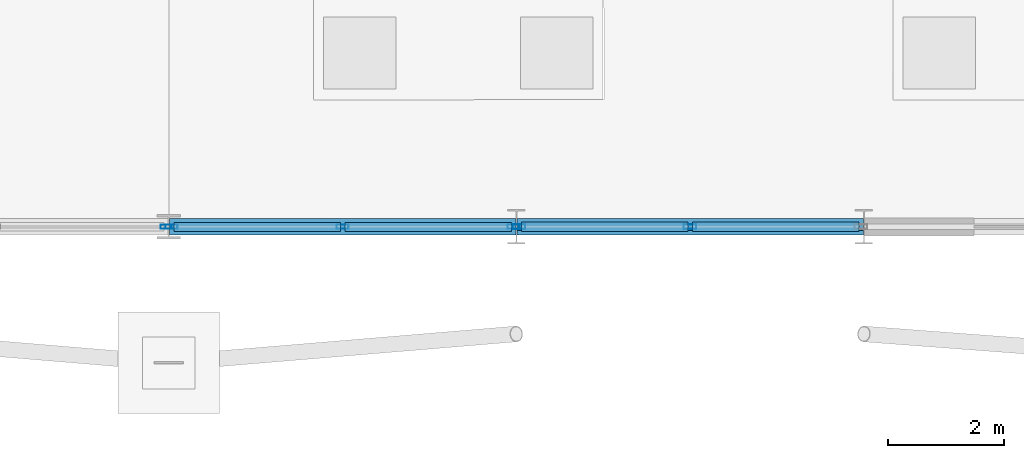
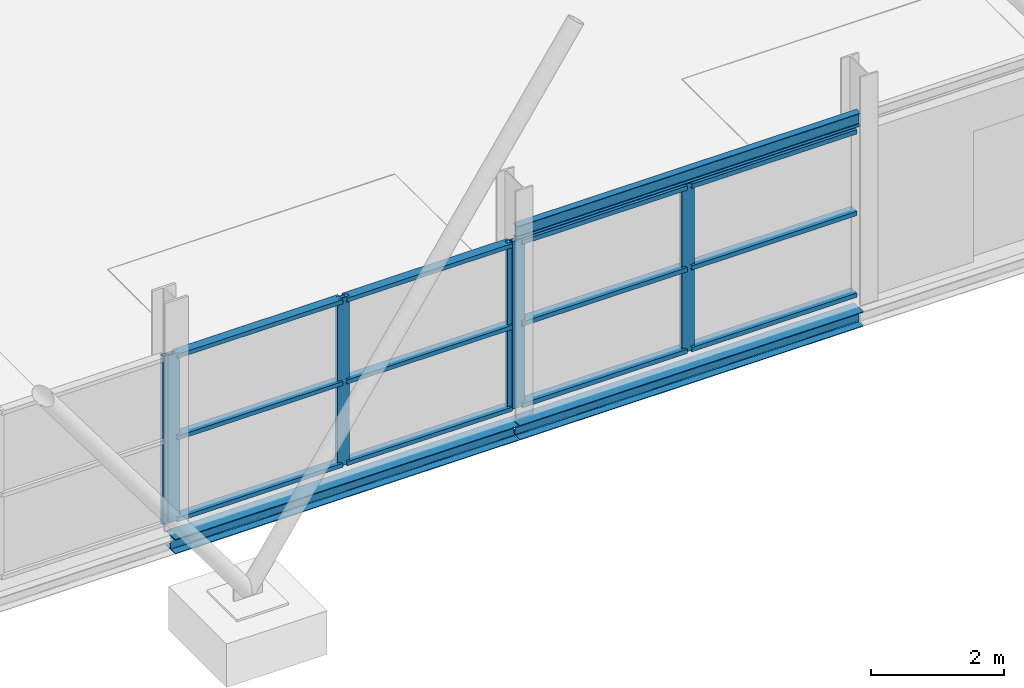
# One storey, part 31 of 140: 18 members, 3 beams, 3 elements without a shape of their own.
"""IFC4 building model written with IfcOpenShell, lengths in metres."""

import ifcopenshell
import ifcopenshell.guid

model = None  # the IFC model being written
_history = None  # IfcOwnerHistory: only IFC2X3 demands one
_inside = {}  # id of a spatial element -> (the spatial element, [elements in it])
_under = {}  # id of a project, library or spatial element -> (it, [spatial elements below it])
_declared = {}  # id of a project -> (the project, [libraries it declares])
_typed = {}  # id of a type object -> (the type object, [elements of that type])
_made_of = {}  # id of a material, layer set ... -> (it, [elements and type objects made of it])


def new_model(schema):
    """Start an empty IFC model of exactly this schema.

    Asked for "IFC4X3", IfcOpenShell would pick the latest addendum, in which some entities
    have other attributes; the version numbers below select the first issue.
    IFC2X3 requires an IfcOwnerHistory on every rooted entity: one is made here for all.
    """
    global model, _history
    if schema == "IFC4X3":
        model = ifcopenshell.file(schema_version=(4, 3, 0, 0))
    else:
        model = ifcopenshell.file(schema=schema)
    _inside.clear()
    _under.clear()
    _declared.clear()
    _typed.clear()
    _made_of.clear()
    _history = None
    if model.schema == "IFC2X3":
        org = make("IfcOrganization", Name="unknown")
        user = make(
            "IfcPersonAndOrganization",
            ThePerson=make("IfcPerson", FamilyName="unknown"),
            TheOrganization=org,
        )
        app = make(
            "IfcApplication",
            ApplicationDeveloper=org,
            Version="unknown",
            ApplicationFullName="unknown",
            ApplicationIdentifier="unknown",
        )
        _history = make(
            "IfcOwnerHistory",
            OwningUser=user,
            OwningApplication=app,
            ChangeAction="ADDED",
            CreationDate=0,
        )
    return model


def make(cls, **values):
    """One entity of the class cls with the attributes given. An attribute that is None is left unset."""
    return model.create_entity(
        cls, **{name: value for name, value in values.items() if value is not None}
    )


def rooted(cls, **values):
    """An entity with a GlobalId (a new one), such as an element, a storey or a relation."""
    return make(cls, GlobalId=ifcopenshell.guid.new(), OwnerHistory=_history, **values)


def si_unit(unit_type, name, prefix=None):
    """IfcSIUnit, for example si_unit("LENGTHUNIT", "METRE", prefix="MILLI")."""
    return make("IfcSIUnit", UnitType=unit_type, Prefix=prefix, Name=name)


def assignment(units):
    """IfcUnitAssignment: the units of a project."""
    return None if units is None else make("IfcUnitAssignment", Units=units)


def point(xyz):
    """IfcCartesianPoint."""
    return None if xyz is None else make("IfcCartesianPoint", Coordinates=xyz)


def direction(xyz):
    """IfcDirection."""
    return None if xyz is None else make("IfcDirection", DirectionRatios=xyz)


def frame(location, z_axis=None, x_axis=None):
    """IfcAxis2Placement3D, a coordinate frame: its origin and axes. An axis left out is left unset."""
    return make(
        "IfcAxis2Placement3D",
        Location=point(location),
        Axis=direction(z_axis),
        RefDirection=direction(x_axis),
    )


def frame_2d(location, x_axis=None):
    """IfcAxis2Placement2D, a coordinate frame in the plane: its origin and x axis."""
    return make(
        "IfcAxis2Placement2D", Location=point(location), RefDirection=direction(x_axis)
    )


def origin():
    """The frame at (0, 0, 0) with its axes left unset."""
    return frame((0.0, 0.0, 0.0))


def origin_2d():
    """The frame at (0, 0) in the plane with its x axis left unset."""
    return frame_2d((0.0, 0.0))


def place(relative_to, where):
    """IfcLocalPlacement: puts the frame where relative to a parent placement (None: the world)."""
    return make(
        "IfcLocalPlacement", PlacementRelTo=relative_to, RelativePlacement=where
    )


def context(
    kind, dimensions, precision=None, world=None, true_north=None, identifier=None
):
    """IfcGeometricRepresentationContext, for example the 3D "Model" context."""
    return make(
        "IfcGeometricRepresentationContext",
        ContextIdentifier=identifier,
        ContextType=kind,
        CoordinateSpaceDimension=dimensions,
        Precision=precision,
        WorldCoordinateSystem=world,
        TrueNorth=true_north,
    )


def subcontext(parent, identifier, kind, view, scale=None):
    """IfcGeometricRepresentationSubContext, for example "Body" below "Model"."""
    return make(
        "IfcGeometricRepresentationSubContext",
        ContextIdentifier=identifier,
        ContextType=kind,
        ParentContext=parent,
        TargetScale=scale,
        TargetView=view,
    )


def project(units=None, contexts=None):
    """IfcProject with its units and contexts."""
    return rooted(
        "IfcProject",
        Name="project",
        RepresentationContexts=contexts,
        UnitsInContext=assignment(units),
    )


def spatial(cls, under=None, at=None, **own):
    """A site, building, storey or space (cls), placed at a placement, below another one or the project."""
    s = rooted(cls, ObjectPlacement=at, **own)
    if under is not None:
        _under.setdefault(under.id(), (under, []))[1].append(s)
    return s


def profile(cls, at=None, kind="AREA", **sizes):
    """A parametric profile (cls). Its sizes go by their IFC names, for example OverallWidth=200.0."""
    return make(cls, ProfileType=kind, Position=at, **sizes)


def hollow_rectangle(**sizes):
    """IfcRectangleHollowProfileDef."""
    return profile("IfcRectangleHollowProfileDef", **sizes)


def i_section(**sizes):
    """IfcIShapeProfileDef."""
    return profile("IfcIShapeProfileDef", **sizes)


def extrude(swept, where, along, depth):
    """IfcExtrudedAreaSolid: the profile swept, set in the frame where, extruded along a direction by depth."""
    return make(
        "IfcExtrudedAreaSolid",
        SweptArea=swept,
        Position=where,
        ExtrudedDirection=direction(along),
        Depth=depth,
    )


def shape(context_of_items, identifier, shape_type, items):
    """IfcShapeRepresentation: the items that make up one representation, for example the "Body"."""
    return make(
        "IfcShapeRepresentation",
        ContextOfItems=context_of_items,
        RepresentationIdentifier=identifier,
        RepresentationType=shape_type,
        Items=items,
    )


def material(Name=None, Category=None):
    """IfcMaterial."""
    return make("IfcMaterial", Name=Name, Category=Category)


def layer(
    of_material, thickness, ventilated=None, Name=None, Category=None, Priority=None
):
    """IfcMaterialLayer: one layer of a wall or slab, of a material (None: an air gap)."""
    return make(
        "IfcMaterialLayer",
        Material=of_material,
        LayerThickness=thickness,
        IsVentilated=ventilated,
        Name=Name,
        Category=Category,
        Priority=Priority,
    )


def layer_set(layers, Name=None):
    """IfcMaterialLayerSet."""
    return make("IfcMaterialLayerSet", MaterialLayers=layers, LayerSetName=Name)


def material_profile(
    of_material, cross_section, Name=None, Category=None, Priority=None
):
    """IfcMaterialProfile: a cross section and its material."""
    return make(
        "IfcMaterialProfile",
        Name=Name,
        Material=of_material,
        Profile=cross_section,
        Priority=Priority,
        Category=Category,
    )


def profile_set(profiles, Name=None, composite=None):
    """IfcMaterialProfileSet."""
    return make(
        "IfcMaterialProfileSet",
        Name=Name,
        MaterialProfiles=profiles,
        CompositeProfile=composite,
    )


def made_of(thing, what):
    """Note that an element or type object is made of a material, layer set ...; save() writes the relation."""
    if what is not None:
        _made_of.setdefault(what.id(), (what, []))[1].append(thing)
    return thing


def type_object(cls, material=None, **own):
    """A type object (cls), such as IfcWallType, which elements share."""
    return made_of(rooted(cls, **own), material)


def element(
    cls,
    number,
    at=None,
    inside=None,
    cuts=None,
    type_object=None,
    material=None,
    context=None,
    identifier="Body",
    shape_type=None,
    held_by="IfcProductDefinitionShape",
    body=None,
    shapes=None,
    **own,
):
    """One element of the class cls, such as IfcWall. Its Tag is "e" and its number.

    at: its placement. inside: the storey or other place that contains it. cuts: it is an
    opening in that element (IfcRelVoidsElement). A single representation is given by context,
    identifier, shape_type and body (its items); several are given by shapes. held_by: the class
    of the entity that holds the representations. save() writes the other relations.
    """
    e = rooted(cls, Tag="e%d" % number, ObjectPlacement=at, **own)
    if body is not None:
        shapes = [shape(context, identifier, shape_type, body)]
    if shapes is not None:
        e.Representation = make(held_by, Representations=shapes)
    if inside is not None:
        _inside.setdefault(inside.id(), (inside, []))[1].append(e)
    if cuts is not None:
        rooted(
            "IfcRelVoidsElement", RelatingBuildingElement=cuts, RelatedOpeningElement=e
        )
    if type_object is not None:
        _typed.setdefault(type_object.id(), (type_object, []))[1].append(e)
    return made_of(e, material)


def aggregate(whole, parts):
    """IfcRelAggregates: a whole, such as a stair, and the parts it consists of."""
    return rooted("IfcRelAggregates", RelatingObject=whole, RelatedObjects=parts)


def save(model, path):
    """Write the relations noted so far, then the file.

    IfcRelAggregates (storeys below a building ...), IfcRelContainedInSpatialStructure (elements
    in a storey), IfcRelDefinesByType, IfcRelAssociatesMaterial and IfcRelDeclares: one each for
    every whole, place, type object, material and project.
    """
    for whole, parts in _under.values():
        aggregate(whole, parts)
    for where, things in _inside.values():
        rooted(
            "IfcRelContainedInSpatialStructure",
            RelatedElements=things,
            RelatingStructure=where,
        )
    for kind, things in _typed.values():
        rooted("IfcRelDefinesByType", RelatedObjects=things, RelatingType=kind)
    for what, things in _made_of.values():
        rooted("IfcRelAssociatesMaterial", RelatedObjects=things, RelatingMaterial=what)
    for by, libraries in _declared.values():
        rooted("IfcRelDeclares", RelatingContext=by, RelatedDefinitions=libraries)
    model.write(path)


model = new_model("IFC4")

# Units and contexts
model_context = context("Model", 3, precision=1e-05, world=origin(), true_north=direction((0.0, 1.0)))
body_context = subcontext(model_context, "Body", "Model", "MODEL_VIEW")
ifc_project = project(units=[si_unit("LENGTHUNIT", "METRE"), si_unit("AREAUNIT", "SQUARE_METRE"), si_unit("VOLUMEUNIT", "CUBIC_METRE"), si_unit("PLANEANGLEUNIT", "RADIAN"), si_unit("MASSUNIT", "GRAM", prefix="KILO")], contexts=[model_context])

# Site, building, storey
site_placement = place(None, origin())
site = spatial("IfcSite", under=ifc_project, at=site_placement, CompositionType="ELEMENT")
building_placement = place(site_placement, origin())
building = spatial("IfcBuilding", under=site, at=building_placement, Name="Deido Ridge Mobility Hub", CompositionType="ELEMENT")
storey_placement = place(building_placement, origin())
storey = spatial("IfcBuildingStorey", under=building, at=storey_placement, Name="L00", CompositionType="ELEMENT", Elevation=0.0)

# Beam
ifc_material_1 = material(Name="Steel S355J2 EN 10025-2", Category="steel")
ifc_material_profile_1 = material_profile(ifc_material_1, i_section(OverallWidth=0.1201171875, OverallDepth=0.239990234375, WebThickness=0.006103515625, FlangeThickness=0.009765625, FilletRadius=0.014892578125, at=origin_2d()), Name="IPE 240")
ifc_profile_set_1 = profile_set([ifc_material_profile_1], Name="Steel S355J2 EN 10025-2")
beam_type_1 = type_object("IfcBeamType", Name="LNT-IPE240", PredefinedType="LINTEL", material=ifc_profile_set_1)
beam_1_placement = place(storey_placement, frame((36.0078125, 0.0, 3.22998046875), z_axis=(1.0, 0.0, 0.0), x_axis=(0.0, 1.0, 0.0)))
element("IfcBeam", 1, at=beam_1_placement, inside=storey, type_object=beam_type_1, Name="Opening lintel LN1", PredefinedType="LINTEL", context=body_context, shape_type="SweptSolid", body=[
    extrude(i_section(OverallWidth=0.1201171875, OverallDepth=0.239990234375, WebThickness=0.006103515625, FlangeThickness=0.009765625, FilletRadius=0.014892578125, at=origin_2d()), origin(), (0.0, 0.0, 1.0), 5.984375),
])

# Curtain wall, member
ifc_material_2 = material(Name="Anodised aluminium EN AW-6063 T6", Category="aluminium")
ifc_layer_1 = layer(ifc_material_2, 0.22509765625, Name="Anodised aluminium EN AW-6063 T6")
ifc_layer_set_1 = layer_set([ifc_layer_1], Name="Anodised aluminium EN AW-6063 T6")
curtain_wall_type_1 = type_object("IfcCurtainWallType", Name="CW-UF-5", PredefinedType="USERDEFINED", material=ifc_layer_set_1)
curtain_wall_1_placement = place(storey_placement, origin())
curtain_wall_1 = element("IfcCurtainWall", 2, at=curtain_wall_1_placement, inside=storey, type_object=curtain_wall_type_1, Name="Unitised curtain wall CW5", ObjectType="UNITISED FACADE", PredefinedType="USERDEFINED")
ifc_material_profile_2 = material_profile(ifc_material_2, hollow_rectangle(XDim=0.070068359375, YDim=0.18994140625, WallThickness=0.00390625, at=origin_2d()), Name="RHS 70x190x4")
ifc_profile_set_2 = profile_set([ifc_material_profile_2], Name="Anodised aluminium EN AW-6063 T6")
member_type_1 = type_object("IfcMemberType", Name="MEM-MUL-70X190", PredefinedType="MULLION", material=ifc_profile_set_2)
member_1_placement = place(storey_placement, frame((29.952880859375, 0.0, 0.0), z_axis=(0.0, 0.0, 1.0), x_axis=(0.0, 1.0, 0.0)))
member_1 = element("IfcMember", 3, at=member_1_placement, type_object=member_type_1, Name="CW5 mullion 3", PredefinedType="MULLION", context=body_context, shape_type="SweptSolid", body=[
    extrude(hollow_rectangle(XDim=0.070068359375, YDim=0.18994140625, WallThickness=0.00390625, at=origin_2d()), origin(), (0.0, 0.0, 1.0), 3.10009765625),
])
aggregate(curtain_wall_1, [member_1])

# Curtain wall, members
ifc_layer_2 = layer(ifc_material_2, 0.239990234375, Name="Anodised aluminium EN AW-6063 T6")
ifc_layer_set_2 = layer_set([ifc_layer_2], Name="Anodised aluminium EN AW-6063 T6")
curtain_wall_type_2 = type_object("IfcCurtainWallType", Name="CW-UF-6", PredefinedType="USERDEFINED", material=ifc_layer_set_2)
curtain_wall_2_placement = place(storey_placement, origin())
curtain_wall_2 = element("IfcCurtainWall", 4, at=curtain_wall_2_placement, inside=storey, type_object=curtain_wall_type_2, Name="Unitised curtain wall CW6", ObjectType="UNITISED FACADE", PredefinedType="USERDEFINED")
ifc_material_profile_3 = material_profile(ifc_material_2, hollow_rectangle(XDim=0.074951171875, YDim=0.205078125, WallThickness=0.00390625, at=origin_2d()), Name="RHS 75x205x4")
ifc_profile_set_3 = profile_set([ifc_material_profile_3], Name="Anodised aluminium EN AW-6063 T6")
member_type_2 = type_object("IfcMemberType", Name="MEM-MUL-75X205", PredefinedType="MULLION", material=ifc_profile_set_3)
member_2_placement = place(storey_placement, frame((30.049560546875, 0.0, 0.0), z_axis=(0.0, 0.0, 1.0), x_axis=(0.0, 1.0, 0.0)))
member_2 = element("IfcMember", 5, at=member_2_placement, type_object=member_type_2, Name="CW6 mullion 1", PredefinedType="MULLION", context=body_context, shape_type="SweptSolid", body=[
    extrude(hollow_rectangle(XDim=0.074951171875, YDim=0.205078125, WallThickness=0.00390625, at=origin_2d()), origin(), (0.0, 0.0, 1.0), 3.0849609375),
])
member_3_placement = place(storey_placement, frame((33.002197265625, 0.0, 0.0), z_axis=(0.0, 0.0, 1.0), x_axis=(0.0, 1.0, 0.0)))
member_3 = element("IfcMember", 6, at=member_3_placement, type_object=member_type_2, Name="CW6 mullion 2", PredefinedType="MULLION", context=body_context, shape_type="SweptSolid", body=[
    extrude(hollow_rectangle(XDim=0.074951171875, YDim=0.205078125, WallThickness=0.00390625, at=origin_2d()), origin(), (0.0, 0.0, 1.0), 3.0849609375),
])
member_4_placement = place(storey_placement, frame((35.95458984375, 0.0, 0.0), z_axis=(0.0, 0.0, 1.0), x_axis=(0.0, 1.0, 0.0)))
member_4 = element("IfcMember", 7, at=member_4_placement, type_object=member_type_2, Name="CW6 mullion 3", PredefinedType="MULLION", context=body_context, shape_type="SweptSolid", body=[
    extrude(hollow_rectangle(XDim=0.074951171875, YDim=0.205078125, WallThickness=0.00390625, at=origin_2d()), origin(), (0.0, 0.0, 1.0), 3.0849609375),
])

ifc_layer_3 = layer(ifc_material_2, 0.2548828125, Name="Anodised aluminium EN AW-6063 T6")
ifc_layer_set_3 = layer_set([ifc_layer_3], Name="Anodised aluminium EN AW-6063 T6")
curtain_wall_type_3 = type_object("IfcCurtainWallType", Name="CW-UF-7", PredefinedType="USERDEFINED", material=ifc_layer_set_3)
curtain_wall_3_placement = place(storey_placement, origin())
curtain_wall_3 = element("IfcCurtainWall", 8, at=curtain_wall_3_placement, inside=storey, type_object=curtain_wall_type_3, Name="Unitised curtain wall CW7", ObjectType="UNITISED FACADE", PredefinedType="USERDEFINED")
ifc_material_profile_4 = material_profile(ifc_material_2, hollow_rectangle(XDim=0.080078125, YDim=0.219970703125, WallThickness=0.00390625, at=origin_2d()), Name="RHS 80x220x4")
ifc_profile_set_4 = profile_set([ifc_material_profile_4], Name="Anodised aluminium EN AW-6063 T6")
member_type_3 = type_object("IfcMemberType", Name="MEM-MUL-80X220", PredefinedType="MULLION", material=ifc_profile_set_4)
member_5_placement = place(storey_placement, frame((36.0478515625, 0.0, 0.0), z_axis=(0.0, 0.0, 1.0), x_axis=(0.0, 1.0, 0.0)))
member_5 = element("IfcMember", 9, at=member_5_placement, type_object=member_type_3, Name="CW7 mullion 1", PredefinedType="MULLION", context=body_context, shape_type="SweptSolid", body=[
    extrude(hollow_rectangle(XDim=0.080078125, YDim=0.219970703125, WallThickness=0.00390625, at=origin_2d()), origin(), (0.0, 0.0, 1.0), 3.0849609375),
])
member_6_placement = place(storey_placement, frame((39.0, 0.0, 0.0), z_axis=(0.0, 0.0, 1.0), x_axis=(0.0, 1.0, 0.0)))
member_6 = element("IfcMember", 10, at=member_6_placement, type_object=member_type_3, Name="CW7 mullion 2", PredefinedType="MULLION", context=body_context, shape_type="SweptSolid", body=[
    extrude(hollow_rectangle(XDim=0.080078125, YDim=0.219970703125, WallThickness=0.00390625, at=origin_2d()), origin(), (0.0, 0.0, 1.0), 3.0849609375),
])

# Member
ifc_material_profile_5 = material_profile(ifc_material_2, hollow_rectangle(XDim=0.155029296875, YDim=0.074951171875, WallThickness=0.00390625, at=origin_2d()), Name="RHS 155x75x4")
ifc_profile_set_5 = profile_set([ifc_material_profile_5], Name="Anodised aluminium EN AW-6063 T6")
member_type_4 = type_object("IfcMemberType", Name="MEM-TRN-155X75", PredefinedType="USERDEFINED", material=ifc_profile_set_5)
member_7_placement = place(storey_placement, frame((30.0869140625, 0.0, 0.03759765625), z_axis=(1.0, 0.0, 0.0), x_axis=(0.0, 1.0, 0.0)))
member_7 = element("IfcMember", 11, at=member_7_placement, type_object=member_type_4, Name="CW6 transom 1.1", ObjectType="TRANSOM", PredefinedType="USERDEFINED", context=body_context, shape_type="SweptSolid", body=[
    extrude(hollow_rectangle(XDim=0.155029296875, YDim=0.074951171875, WallThickness=0.00390625, at=origin_2d()), origin(), (0.0, 0.0, 1.0), 2.877685546875),
])

member_8_placement = place(storey_placement, frame((30.0869140625, 0.0, 1.54248046875), z_axis=(1.0, 0.0, 0.0), x_axis=(0.0, 1.0, 0.0)))
member_8 = element("IfcMember", 12, at=member_8_placement, type_object=member_type_4, Name="CW6 transom 1.2", ObjectType="TRANSOM", PredefinedType="USERDEFINED", context=body_context, shape_type="SweptSolid", body=[
    extrude(hollow_rectangle(XDim=0.155029296875, YDim=0.074951171875, WallThickness=0.00390625, at=origin_2d()), origin(), (0.0, 0.0, 1.0), 2.877685546875),
])

member_9_placement = place(storey_placement, frame((30.0869140625, 0.0, 3.047607421875), z_axis=(1.0, 0.0, 0.0), x_axis=(0.0, 1.0, 0.0)))
member_9 = element("IfcMember", 13, at=member_9_placement, type_object=member_type_4, Name="CW6 transom 1.3", ObjectType="TRANSOM", PredefinedType="USERDEFINED", context=body_context, shape_type="SweptSolid", body=[
    extrude(hollow_rectangle(XDim=0.155029296875, YDim=0.074951171875, WallThickness=0.00390625, at=origin_2d()), origin(), (0.0, 0.0, 1.0), 2.877685546875),
])

member_10_placement = place(storey_placement, frame((33.03955078125, 0.0, 0.03759765625), z_axis=(1.0, 0.0, 0.0), x_axis=(0.0, 1.0, 0.0)))
member_10 = element("IfcMember", 14, at=member_10_placement, type_object=member_type_4, Name="CW6 transom 2.1", ObjectType="TRANSOM", PredefinedType="USERDEFINED", context=body_context, shape_type="SweptSolid", body=[
    extrude(hollow_rectangle(XDim=0.155029296875, YDim=0.074951171875, WallThickness=0.00390625, at=origin_2d()), origin(), (0.0, 0.0, 1.0), 2.877685546875),
])

member_11_placement = place(storey_placement, frame((33.03955078125, 0.0, 1.54248046875), z_axis=(1.0, 0.0, 0.0), x_axis=(0.0, 1.0, 0.0)))
member_11 = element("IfcMember", 15, at=member_11_placement, type_object=member_type_4, Name="CW6 transom 2.2", ObjectType="TRANSOM", PredefinedType="USERDEFINED", context=body_context, shape_type="SweptSolid", body=[
    extrude(hollow_rectangle(XDim=0.155029296875, YDim=0.074951171875, WallThickness=0.00390625, at=origin_2d()), origin(), (0.0, 0.0, 1.0), 2.877685546875),
])

member_12_placement = place(storey_placement, frame((33.03955078125, 0.0, 3.047607421875), z_axis=(1.0, 0.0, 0.0), x_axis=(0.0, 1.0, 0.0)))
member_12 = element("IfcMember", 16, at=member_12_placement, type_object=member_type_4, Name="CW6 transom 2.3", ObjectType="TRANSOM", PredefinedType="USERDEFINED", context=body_context, shape_type="SweptSolid", body=[
    extrude(hollow_rectangle(XDim=0.155029296875, YDim=0.074951171875, WallThickness=0.00390625, at=origin_2d()), origin(), (0.0, 0.0, 1.0), 2.877685546875),
])

aggregate(curtain_wall_2, [member_2, member_3, member_4, member_7, member_8, member_9, member_10, member_11, member_12])

ifc_material_profile_6 = material_profile(ifc_material_2, hollow_rectangle(XDim=0.1650390625, YDim=0.080078125, WallThickness=0.00390625, at=origin_2d()), Name="RHS 165x80x4")
ifc_profile_set_6 = profile_set([ifc_material_profile_6], Name="Anodised aluminium EN AW-6063 T6")
member_type_5 = type_object("IfcMemberType", Name="MEM-TRN-165X80", PredefinedType="USERDEFINED", material=ifc_profile_set_6)
member_13_placement = place(storey_placement, frame((36.087890625, 0.0, 0.0400390625), z_axis=(1.0, 0.0, 0.0), x_axis=(0.0, 1.0, 0.0)))
member_13 = element("IfcMember", 17, at=member_13_placement, type_object=member_type_5, Name="CW7 transom 1.1", ObjectType="TRANSOM", PredefinedType="USERDEFINED", context=body_context, shape_type="SweptSolid", body=[
    extrude(hollow_rectangle(XDim=0.1650390625, YDim=0.080078125, WallThickness=0.00390625, at=origin_2d()), origin(), (0.0, 0.0, 1.0), 2.8720703125),
])

member_14_placement = place(storey_placement, frame((36.087890625, 0.0, 1.54248046875), z_axis=(1.0, 0.0, 0.0), x_axis=(0.0, 1.0, 0.0)))
member_14 = element("IfcMember", 18, at=member_14_placement, type_object=member_type_5, Name="CW7 transom 1.2", ObjectType="TRANSOM", PredefinedType="USERDEFINED", context=body_context, shape_type="SweptSolid", body=[
    extrude(hollow_rectangle(XDim=0.1650390625, YDim=0.080078125, WallThickness=0.00390625, at=origin_2d()), origin(), (0.0, 0.0, 1.0), 2.8720703125),
])

member_15_placement = place(storey_placement, frame((36.087890625, 0.0, 3.044921875), z_axis=(1.0, 0.0, 0.0), x_axis=(0.0, 1.0, 0.0)))
member_15 = element("IfcMember", 19, at=member_15_placement, type_object=member_type_5, Name="CW7 transom 1.3", ObjectType="TRANSOM", PredefinedType="USERDEFINED", context=body_context, shape_type="SweptSolid", body=[
    extrude(hollow_rectangle(XDim=0.1650390625, YDim=0.080078125, WallThickness=0.00390625, at=origin_2d()), origin(), (0.0, 0.0, 1.0), 2.8720703125),
])

member_16_placement = place(storey_placement, frame((39.0400390625, 0.0, 0.0400390625), z_axis=(1.0, 0.0, 0.0), x_axis=(0.0, 1.0, 0.0)))
member_16 = element("IfcMember", 20, at=member_16_placement, type_object=member_type_5, Name="CW7 transom 2.1", ObjectType="TRANSOM", PredefinedType="USERDEFINED", context=body_context, shape_type="SweptSolid", body=[
    extrude(hollow_rectangle(XDim=0.1650390625, YDim=0.080078125, WallThickness=0.00390625, at=origin_2d()), origin(), (0.0, 0.0, 1.0), 2.8720703125),
])

member_17_placement = place(storey_placement, frame((39.0400390625, 0.0, 1.54248046875), z_axis=(1.0, 0.0, 0.0), x_axis=(0.0, 1.0, 0.0)))
member_17 = element("IfcMember", 21, at=member_17_placement, type_object=member_type_5, Name="CW7 transom 2.2", ObjectType="TRANSOM", PredefinedType="USERDEFINED", context=body_context, shape_type="SweptSolid", body=[
    extrude(hollow_rectangle(XDim=0.1650390625, YDim=0.080078125, WallThickness=0.00390625, at=origin_2d()), origin(), (0.0, 0.0, 1.0), 2.8720703125),
])

member_18_placement = place(storey_placement, frame((39.0400390625, 0.0, 3.044921875), z_axis=(1.0, 0.0, 0.0), x_axis=(0.0, 1.0, 0.0)))
member_18 = element("IfcMember", 22, at=member_18_placement, type_object=member_type_5, Name="CW7 transom 2.3", ObjectType="TRANSOM", PredefinedType="USERDEFINED", context=body_context, shape_type="SweptSolid", body=[
    extrude(hollow_rectangle(XDim=0.1650390625, YDim=0.080078125, WallThickness=0.00390625, at=origin_2d()), origin(), (0.0, 0.0, 1.0), 2.8720703125),
])

aggregate(curtain_wall_3, [member_5, member_6, member_13, member_14, member_15, member_16, member_17, member_18])

# Beams
ifc_material_profile_7 = material_profile(ifc_material_1, i_section(OverallWidth=0.280029296875, OverallDepth=0.27001953125, WebThickness=0.008056640625, FlangeThickness=0.012939453125, FilletRadius=0.02392578125, at=origin_2d()), Name="HEA 280")
ifc_profile_set_7 = profile_set([ifc_material_profile_7], Name="Steel S355J2 EN 10025-2")
beam_type_2 = type_object("IfcBeamType", Name="SPD-HEA280", PredefinedType="SPANDREL", material=ifc_profile_set_7)
beam_2_placement = place(storey_placement, frame((30.011962890625, 0.0, -0.39501953125), z_axis=(1.0, 0.0, 0.0), x_axis=(0.0, 1.0, 0.0)))
element("IfcBeam", 23, at=beam_2_placement, inside=storey, type_object=beam_type_2, Name="Floor beam SP2", PredefinedType="SPANDREL", context=body_context, shape_type="SweptSolid", body=[
    extrude(i_section(OverallWidth=0.280029296875, OverallDepth=0.27001953125, WebThickness=0.008056640625, FlangeThickness=0.012939453125, FilletRadius=0.02392578125, at=origin_2d()), origin(), (0.0, 0.0, 1.0), 5.980224609375),
])
beam_3_placement = place(storey_placement, frame((36.0078125, 0.0, -0.39501953125), z_axis=(1.0, 0.0, 0.0), x_axis=(0.0, 1.0, 0.0)))
element("IfcBeam", 24, at=beam_3_placement, inside=storey, type_object=beam_type_2, Name="Floor beam SP2", PredefinedType="SPANDREL", context=body_context, shape_type="SweptSolid", body=[
    extrude(i_section(OverallWidth=0.280029296875, OverallDepth=0.27001953125, WebThickness=0.008056640625, FlangeThickness=0.012939453125, FilletRadius=0.02392578125, at=origin_2d()), origin(), (0.0, 0.0, 1.0), 5.984375),
])

save(model, "model.ifc")
